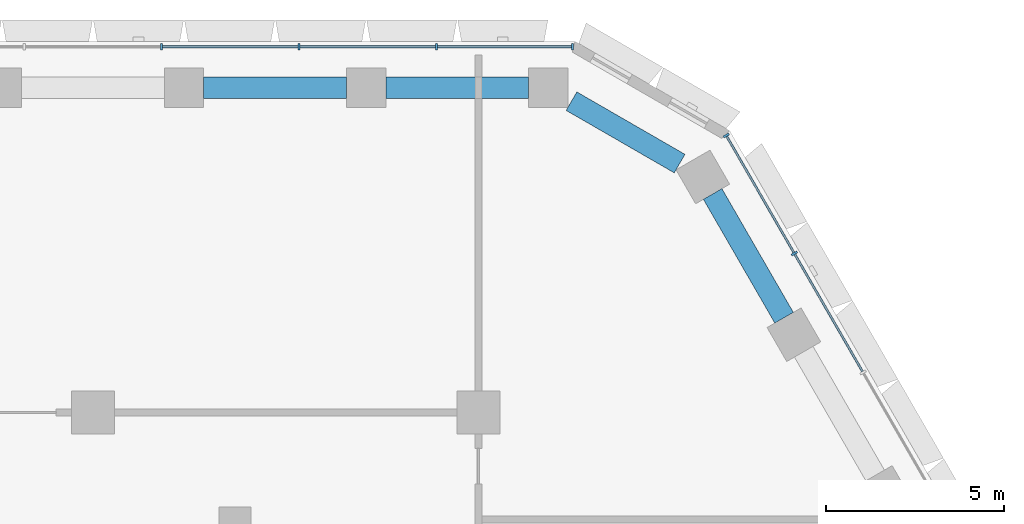
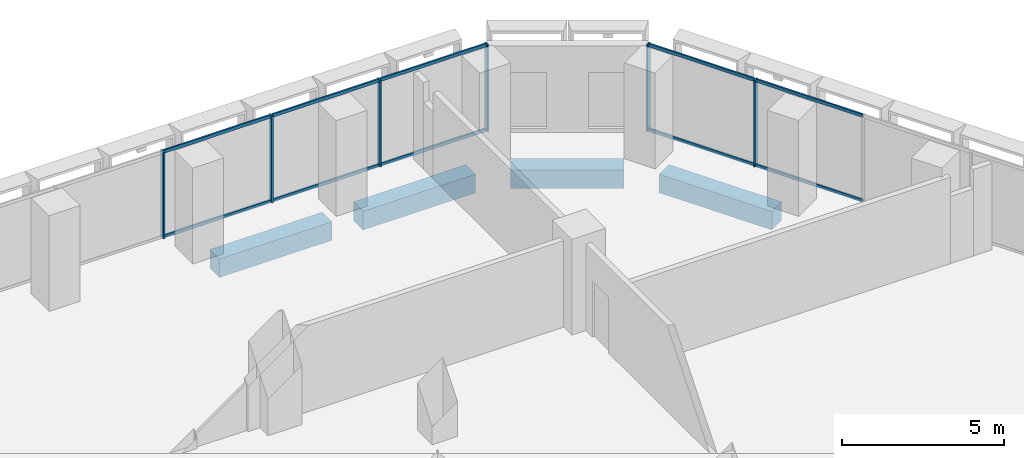
# One storey, part 9 of 25: 16 members, 4 beams, 2 elements without a shape of their own.
"""IFC4 building model written with IfcOpenShell, lengths in metres."""

from ifc_helpers import new_model, si_unit, direction, frame, origin, origin_2d, place, context, subcontext, project, spatial, rectangle, hollow_rectangle, extrude, material, material_profile, profile_set, type_object, element, aggregate, save


model = new_model("IFC4")

# Units and contexts
model_context = context("Model", 3, precision=1e-05, world=origin(), true_north=direction((0.0, 1.0)))
body_context = subcontext(model_context, "Body", "Model", "MODEL_VIEW")
ifc_project = project(units=[si_unit("LENGTHUNIT", "METRE"), si_unit("AREAUNIT", "SQUARE_METRE"), si_unit("VOLUMEUNIT", "CUBIC_METRE"), si_unit("PLANEANGLEUNIT", "RADIAN"), si_unit("MASSUNIT", "GRAM", prefix="KILO")], contexts=[model_context])

# Site, building, storey
site_placement = place(None, origin())
site = spatial("IfcSite", under=ifc_project, at=site_placement, CompositionType="ELEMENT")
building_placement = place(site_placement, origin())
building = spatial("IfcBuilding", under=site, at=building_placement, Name="Beryl Residences", CompositionType="ELEMENT")
storey_placement = place(building_placement, frame((0.0, 0.0, 16.199951171875)))
storey = spatial("IfcBuildingStorey", under=building, at=storey_placement, Name="L04", CompositionType="ELEMENT", Elevation=16.199951171875)

# Curtain wall, members
ifc_material_1 = material(Name="Aluminium and clear glass", Category="aluminium")
curtain_wall_type = type_object("IfcCurtainWallType", Name="CW2 amenity glazing glazed wall", PredefinedType="NOTDEFINED", material=ifc_material_1)
curtain_wall_1_placement = place(storey_placement, origin())
curtain_wall_1 = element("IfcCurtainWall", 1, at=curtain_wall_1_placement, inside=storey, type_object=curtain_wall_type, Name="CW2 L04 N", PredefinedType="NOTDEFINED")
ifc_material_2 = material(Name="Aluminium", Category="aluminium")
ifc_material_profile_1 = material_profile(ifc_material_2, rectangle(XDim=0.06005859375, YDim=0.179931640625, at=origin_2d()))
ifc_profile_set_1 = profile_set([ifc_material_profile_1], Name="Aluminium")
member_type_1 = type_object("IfcMemberType", Name="CW2-M mullion 60 x 180 mm", PredefinedType="MULLION", material=ifc_profile_set_1)
member_1_placement = place(storey_placement, frame((13.43994140625, 28.25, 0.0), z_axis=(0.0, 0.0, 1.0), x_axis=(-1.0, 0.0, 0.0)))
member_1 = element("IfcMember", 2, at=member_1_placement, type_object=member_type_1, Name="CW2 mullion 1", PredefinedType="MULLION", context=body_context, shape_type="SweptSolid", body=[
    extrude(rectangle(XDim=0.06005859375, YDim=0.179931640625, at=origin_2d()), origin(), (0.0, 0.0, 1.0), 3.25),
])
member_2_placement = place(storey_placement, frame((9.621337890625, 28.25, 0.0), z_axis=(0.0, 0.0, 1.0), x_axis=(-1.0, 0.0, 0.0)))
member_2 = element("IfcMember", 3, at=member_2_placement, type_object=member_type_1, Name="CW2 mullion 2", PredefinedType="MULLION", context=body_context, shape_type="SweptSolid", body=[
    extrude(rectangle(XDim=0.06005859375, YDim=0.179931640625, at=origin_2d()), origin(), (0.0, 0.0, 1.0), 3.25),
])
member_3_placement = place(storey_placement, frame((5.77294921875, 28.25, 0.0), z_axis=(0.0, 0.0, 1.0), x_axis=(-1.0, 0.0, 0.0)))
member_3 = element("IfcMember", 4, at=member_3_placement, type_object=member_type_1, Name="CW2 mullion 3", PredefinedType="MULLION", context=body_context, shape_type="SweptSolid", body=[
    extrude(rectangle(XDim=0.06005859375, YDim=0.179931640625, at=origin_2d()), origin(), (0.0, 0.0, 1.0), 3.25),
])
member_4_placement = place(storey_placement, frame((1.92431640625, 28.25, 0.0), z_axis=(0.0, 0.0, 1.0), x_axis=(-1.0, 0.0, 0.0)))
member_4 = element("IfcMember", 5, at=member_4_placement, type_object=member_type_1, Name="CW2 mullion 4", PredefinedType="MULLION", context=body_context, shape_type="SweptSolid", body=[
    extrude(rectangle(XDim=0.06005859375, YDim=0.179931640625, at=origin_2d()), origin(), (0.0, 0.0, 1.0), 3.25),
])

curtain_wall_2_placement = place(storey_placement, origin())
curtain_wall_2 = element("IfcCurtainWall", 6, at=curtain_wall_2_placement, inside=storey, type_object=curtain_wall_type, Name="CW2 L04 NE", PredefinedType="NOTDEFINED")
member_5_placement = place(storey_placement, frame((19.654296875, 22.45703125, 0.0), z_axis=(0.0, 0.0, 1.0), x_axis=(-0.500011643322, 0.866018681405, 0.0)))
member_5 = element("IfcMember", 7, at=member_5_placement, type_object=member_type_1, Name="CW2 mullion 7", PredefinedType="MULLION", context=body_context, shape_type="SweptSolid", body=[
    extrude(rectangle(XDim=0.06005859375, YDim=0.179931640625, at=origin_2d()), origin(), (0.0, 0.0, 1.0), 3.25),
])
member_6_placement = place(storey_placement, frame((17.7451171875, 25.763916015625, 0.0), z_axis=(0.0, 0.0, 1.0), x_axis=(-0.500011643322, 0.866018681405, 0.0)))
member_6 = element("IfcMember", 8, at=member_6_placement, type_object=member_type_1, Name="CW2 mullion 8", PredefinedType="MULLION", context=body_context, shape_type="SweptSolid", body=[
    extrude(rectangle(XDim=0.06005859375, YDim=0.179931640625, at=origin_2d()), origin(), (0.0, 0.0, 1.0), 3.25),
])

# Member
ifc_material_3 = material(Name="Aluminium", Category="aluminium")
ifc_material_profile_2 = material_profile(ifc_material_3, hollow_rectangle(XDim=0.06005859375, YDim=0.1201171875, WallThickness=0.00390625, at=origin_2d()))
ifc_profile_set_2 = profile_set([ifc_material_profile_2], Name="Aluminium")
member_type_2 = type_object("IfcMemberType", Name="CW2-T transom 60 x 120 mm", PredefinedType="USERDEFINED", material=ifc_profile_set_2)
member_7_placement = place(storey_placement, frame((13.409912109375, 28.25, 0.030029296875), z_axis=(-1.0, 0.0, 0.0), x_axis=(0.0, -1.0, 0.0)))
member_7 = element("IfcMember", 9, at=member_7_placement, type_object=member_type_2, Name="CW2 transom 1.1", ObjectType="TRANSOM", PredefinedType="USERDEFINED", context=body_context, shape_type="SweptSolid", body=[
    extrude(hollow_rectangle(XDim=0.06005859375, YDim=0.1201171875, WallThickness=0.00390625, at=origin_2d()), origin(), (0.0, 0.0, 1.0), 3.758544921875),
])

member_8_placement = place(storey_placement, frame((13.409912109375, 28.25, 3.219970703125), z_axis=(-1.0, 0.0, 0.0), x_axis=(0.0, -1.0, 0.0)))
member_8 = element("IfcMember", 10, at=member_8_placement, type_object=member_type_2, Name="CW2 transom 1.2", ObjectType="TRANSOM", PredefinedType="USERDEFINED", context=body_context, shape_type="SweptSolid", body=[
    extrude(hollow_rectangle(XDim=0.06005859375, YDim=0.1201171875, WallThickness=0.00390625, at=origin_2d()), origin(), (0.0, 0.0, 1.0), 3.758544921875),
])

member_9_placement = place(storey_placement, frame((9.59130859375, 28.25, 0.030029296875), z_axis=(-1.0, 0.0, 0.0), x_axis=(0.0, -1.0, 0.0)))
member_9 = element("IfcMember", 11, at=member_9_placement, type_object=member_type_2, Name="CW2 transom 2.1", ObjectType="TRANSOM", PredefinedType="USERDEFINED", context=body_context, shape_type="SweptSolid", body=[
    extrude(hollow_rectangle(XDim=0.06005859375, YDim=0.1201171875, WallThickness=0.00390625, at=origin_2d()), origin(), (0.0, 0.0, 1.0), 3.788330078125),
])

member_10_placement = place(storey_placement, frame((9.59130859375, 28.25, 3.219970703125), z_axis=(-1.0, 0.0, 0.0), x_axis=(0.0, -1.0, 0.0)))
member_10 = element("IfcMember", 12, at=member_10_placement, type_object=member_type_2, Name="CW2 transom 2.2", ObjectType="TRANSOM", PredefinedType="USERDEFINED", context=body_context, shape_type="SweptSolid", body=[
    extrude(hollow_rectangle(XDim=0.06005859375, YDim=0.1201171875, WallThickness=0.00390625, at=origin_2d()), origin(), (0.0, 0.0, 1.0), 3.788330078125),
])

member_11_placement = place(storey_placement, frame((5.742919921875, 28.25, 0.030029296875), z_axis=(-1.0, 0.0, 0.0), x_axis=(0.0, -1.0, 0.0)))
member_11 = element("IfcMember", 13, at=member_11_placement, type_object=member_type_2, Name="CW2 transom 3.1", ObjectType="TRANSOM", PredefinedType="USERDEFINED", context=body_context, shape_type="SweptSolid", body=[
    extrude(hollow_rectangle(XDim=0.06005859375, YDim=0.1201171875, WallThickness=0.00390625, at=origin_2d()), origin(), (0.0, 0.0, 1.0), 3.78857421875),
])

member_12_placement = place(storey_placement, frame((5.742919921875, 28.25, 3.219970703125), z_axis=(-1.0, 0.0, 0.0), x_axis=(0.0, -1.0, 0.0)))
member_12 = element("IfcMember", 14, at=member_12_placement, type_object=member_type_2, Name="CW2 transom 3.2", ObjectType="TRANSOM", PredefinedType="USERDEFINED", context=body_context, shape_type="SweptSolid", body=[
    extrude(hollow_rectangle(XDim=0.06005859375, YDim=0.1201171875, WallThickness=0.00390625, at=origin_2d()), origin(), (0.0, 0.0, 1.0), 3.78857421875),
])

aggregate(curtain_wall_1, [member_1, member_2, member_3, member_4, member_7, member_8, member_9, member_10, member_11, member_12])

member_13_placement = place(storey_placement, frame((21.5634765625, 19.150146484375, 0.030029296875), z_axis=(-0.499999503755, 0.866025690291, 0.0), x_axis=(-0.866025690291, -0.499999503755, 0.0)))
member_13 = element("IfcMember", 15, at=member_13_placement, type_object=member_type_2, Name="CW2 transom 6.1", ObjectType="TRANSOM", PredefinedType="USERDEFINED", context=body_context, shape_type="SweptSolid", body=[
    extrude(hollow_rectangle(XDim=0.06005859375, YDim=0.1201171875, WallThickness=0.00390625, at=origin_2d()), origin(), (0.0, 0.0, 1.0), 3.78857421875),
])

member_14_placement = place(storey_placement, frame((21.5634765625, 19.150146484375, 3.219970703125), z_axis=(-0.499999503755, 0.866025690291, 0.0), x_axis=(-0.866025690291, -0.499999503755, 0.0)))
member_14 = element("IfcMember", 16, at=member_14_placement, type_object=member_type_2, Name="CW2 transom 6.2", ObjectType="TRANSOM", PredefinedType="USERDEFINED", context=body_context, shape_type="SweptSolid", body=[
    extrude(hollow_rectangle(XDim=0.06005859375, YDim=0.1201171875, WallThickness=0.00390625, at=origin_2d()), origin(), (0.0, 0.0, 1.0), 3.78857421875),
])

member_15_placement = place(storey_placement, frame((19.639404296875, 22.483154296875, 0.030029296875), z_axis=(-0.500037327496, 0.866003851672, 0.0), x_axis=(-0.866003851672, -0.500037327496, 0.0)))
member_15 = element("IfcMember", 17, at=member_15_placement, type_object=member_type_2, Name="CW2 transom 7.1", ObjectType="TRANSOM", PredefinedType="USERDEFINED", context=body_context, shape_type="SweptSolid", body=[
    extrude(hollow_rectangle(XDim=0.06005859375, YDim=0.1201171875, WallThickness=0.00390625, at=origin_2d()), origin(), (0.0, 0.0, 1.0), 3.758544921875),
])

member_16_placement = place(storey_placement, frame((19.639404296875, 22.483154296875, 3.219970703125), z_axis=(-0.500037327496, 0.866003851672, 0.0), x_axis=(-0.866003851672, -0.500037327496, 0.0)))
member_16 = element("IfcMember", 18, at=member_16_placement, type_object=member_type_2, Name="CW2 transom 7.2", ObjectType="TRANSOM", PredefinedType="USERDEFINED", context=body_context, shape_type="SweptSolid", body=[
    extrude(hollow_rectangle(XDim=0.06005859375, YDim=0.1201171875, WallThickness=0.00390625, at=origin_2d()), origin(), (0.0, 0.0, 1.0), 3.758544921875),
])

aggregate(curtain_wall_2, [member_5, member_6, member_13, member_14, member_15, member_16])

# Beams
ifc_material_4 = material(Name="Concrete C80/95", Category="concrete")
ifc_material_profile_3 = material_profile(ifc_material_4, rectangle(XDim=0.60009765625, YDim=0.699951171875, at=origin_2d()))
ifc_profile_set_3 = profile_set([ifc_material_profile_3], Name="Concrete C80/95")
beam_type = type_object("IfcBeamType", Name="SB1 spandrel beam 600 x 700 C80/95", PredefinedType="SPANDREL", material=ifc_profile_set_3)
for number, where, z_axis, x_axis, name in (
    (19, (12.208984375, 27.10009765625, -0.699951171875), (-1.0, 0.0, 0.0), (0.0, -1.0, 0.0), "SB1 L04 N-0"),
    (20, (7.10498046875, 27.10009765625, -0.699951171875), (-1.0, 0.0, 0.0), (0.0, -1.0, 0.0), "SB1 L04 N-1"),
):
    element("IfcBeam", number, at=place(storey_placement, frame(where, z_axis=z_axis, x_axis=x_axis)), inside=storey, type_object=beam_type, Name=name, PredefinedType="SPANDREL", context=body_context, shape_type="SweptSolid", body=[
        extrude(rectangle(XDim=0.60009765625, YDim=0.699951171875, at=origin_2d()), origin(), (0.0, 0.0, 1.0), 4.00390625),
    ])
beam_1_placement = place(storey_placement, frame((19.365966796875, 20.656982421875, -0.699951171875), z_axis=(-0.499942357345, 0.866058681229, 0.0), x_axis=(-0.866058681229, -0.499942357345, 0.0)))
element("IfcBeam", 21, at=beam_1_placement, inside=storey, type_object=beam_type, Name="SB1 L04 NE-4", PredefinedType="SPANDREL", context=body_context, shape_type="SweptSolid", body=[
    extrude(rectangle(XDim=0.60009765625, YDim=0.699951171875, at=origin_2d()), origin(), (0.0, 0.0, 1.0), 4.00439453125),
])
beam_2_placement = place(storey_placement, frame((16.43896484375, 24.97607421875, -0.699951171875), z_axis=(-0.866070549782, 0.499921796684, 0.0), x_axis=(-0.499921796684, -0.866070549782, 0.0)))
element("IfcBeam", 22, at=beam_2_placement, inside=storey, type_object=beam_type, Name="SB1 L04 NE-5", PredefinedType="SPANDREL", context=body_context, shape_type="SweptSolid", body=[
    extrude(rectangle(XDim=0.60009765625, YDim=0.699951171875, at=origin_2d()), origin(), (0.0, 0.0, 1.0), 3.49853515625),
])

save(model, "model.ifc")
